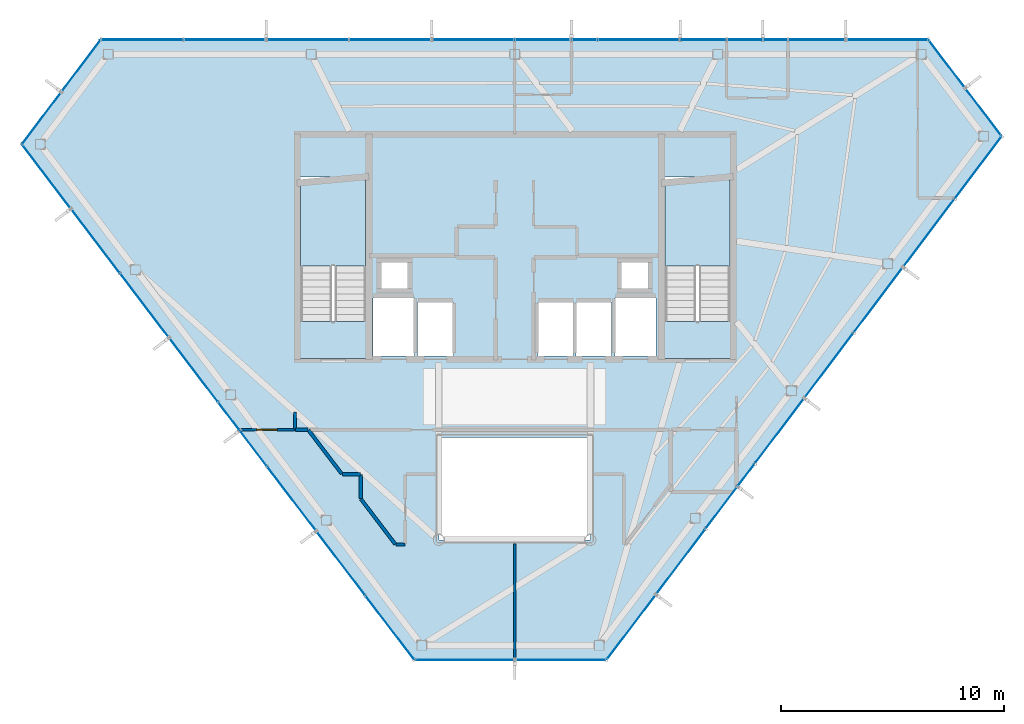
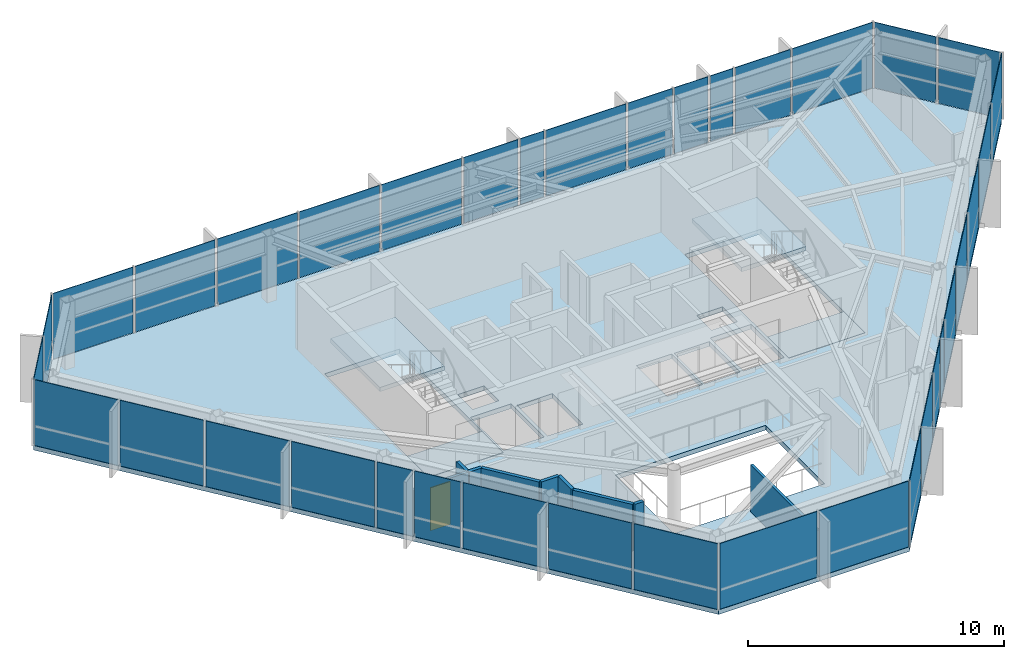
# One storey, part 20 of 23: 37 plates, 9 walls, 5 slabs, 1 door, 1 opening, 8 elements without a shape of their own.
"""IFC4 building model written with IfcOpenShell, lengths in metres."""

from ifc_helpers import new_model, si_unit, direction, frame, frame_2d, origin, origin_2d, place, context, subcontext, project, spatial, polyline, rectangle, outline, extrude, material, layer, layer_set, type_object, element, fill, aggregate, save


model = new_model("IFC4")

# Units and contexts
model_context = context("Model", 3, precision=1e-05, world=origin(), true_north=direction((0.0, 1.0)))
body_context = subcontext(model_context, "Body", "Model", "MODEL_VIEW")
ifc_project = project(units=[si_unit("LENGTHUNIT", "METRE"), si_unit("AREAUNIT", "SQUARE_METRE"), si_unit("VOLUMEUNIT", "CUBIC_METRE"), si_unit("PLANEANGLEUNIT", "RADIAN"), si_unit("MASSUNIT", "GRAM", prefix="KILO")], contexts=[model_context])

# Site, building, storey
site_placement = place(None, origin())
site = spatial("IfcSite", under=ifc_project, at=site_placement, CompositionType="ELEMENT")
building_placement = place(site_placement, origin())
building = spatial("IfcBuilding", under=site, at=building_placement, Name="Zarrinselat Tower", CompositionType="ELEMENT")
storey_placement = place(building_placement, frame((0.0, 0.0, 282.199951171875)))
storey = spatial("IfcBuildingStorey", under=building, at=storey_placement, Name="L72", CompositionType="ELEMENT", Elevation=282.199951171875)

# Curtain wall, plates
ifc_material_1 = material(Name="Extruded Aluminium Alloy EN AW-6063 T6", Category="aluminium")
ifc_layer_1 = layer(ifc_material_1, 0.169921875)
ifc_layer_set_1 = layer_set([ifc_layer_1], Name="Extruded Aluminium Alloy EN AW-6063 T6")
curtain_wall_type_1 = type_object("IfcCurtainWallType", Name="CWS-RES", PredefinedType="NOTDEFINED", material=ifc_layer_set_1)
curtain_wall_1_placement = place(storey_placement, origin())
curtain_wall_1 = element("IfcCurtainWall", 1, at=curtain_wall_1_placement, inside=storey, type_object=curtain_wall_type_1, Name="L72 Unitised Curtain Wall CW-L72-E01", PredefinedType="NOTDEFINED")
ifc_material_2 = material(Name="Double Low-E Laminated Solar Glass", Category="glass")
ifc_layer_2 = layer(ifc_material_2, 0.028076171875)
ifc_layer_set_2 = layer_set([ifc_layer_2], Name="Double Low-E Laminated Solar Glass")
plate_type = type_object("IfcPlateType", Name="PLT-CW-GL28", PredefinedType="CURTAIN_PANEL", material=ifc_layer_set_2)
plate_1_placement = place(storey_placement, frame((55.099853515625, 47.63330078125, 0.02001953125), z_axis=(0.0, 0.0, 1.0), x_axis=(-1.0, 0.0, 0.0)))
plate_1 = element("IfcPlate", 2, at=plate_1_placement, type_object=plate_type, Name="CW-L72-E01 Vision Glass Panel 1", PredefinedType="CURTAIN_PANEL", context=body_context, shape_type="SweptSolid", body=[
    extrude(rectangle(XDim=3.611083984375, YDim=0.028076171875, at=origin_2d()), origin(), (0.0, 0.0, 1.0), 3.139892578125),
])
plate_2_placement = place(storey_placement, frame((51.953369140625, 47.63330078125, 0.02001953125), z_axis=(0.0, 0.0, 1.0), x_axis=(-1.0, 0.0, 0.0)))
plate_2 = element("IfcPlate", 3, at=plate_2_placement, type_object=plate_type, Name="CW-L72-E01 Vision Glass Panel 2", PredefinedType="CURTAIN_PANEL", context=body_context, shape_type="SweptSolid", body=[
    extrude(rectangle(XDim=2.481689453125, YDim=0.028076171875, at=origin_2d()), origin(), (0.0, 0.0, 1.0), 3.139892578125),
])
plate_3_placement = place(storey_placement, frame((50.09765625, 47.63330078125, 0.02001953125), z_axis=(0.0, 0.0, 1.0), x_axis=(-1.0, 0.0, 0.0)))
plate_3 = element("IfcPlate", 4, at=plate_3_placement, type_object=plate_type, Name="CW-L72-E01 Vision Glass Panel 3", PredefinedType="CURTAIN_PANEL", context=body_context, shape_type="SweptSolid", body=[
    extrude(rectangle(XDim=1.029541015625, YDim=0.028076171875, at=origin_2d()), origin(), (0.0, 0.0, 1.0), 3.139892578125),
])
plate_4_placement = place(storey_placement, frame((48.72265625, 47.63330078125, 0.02001953125), z_axis=(0.0, 0.0, 1.0), x_axis=(-1.0, 0.0, 0.0)))
plate_4 = element("IfcPlate", 5, at=plate_4_placement, type_object=plate_type, Name="CW-L72-E01 Vision Glass Panel 4", PredefinedType="CURTAIN_PANEL", context=body_context, shape_type="SweptSolid", body=[
    extrude(rectangle(XDim=1.5205078125, YDim=0.028076171875, at=origin_2d()), origin(), (0.0, 0.0, 1.0), 3.139892578125),
])
plate_5_placement = place(storey_placement, frame((46.8671875, 47.63330078125, 0.02001953125), z_axis=(0.0, 0.0, 1.0), x_axis=(-1.0, 0.0, 0.0)))
plate_5 = element("IfcPlate", 6, at=plate_5_placement, type_object=plate_type, Name="CW-L72-E01 Vision Glass Panel 5", PredefinedType="CURTAIN_PANEL", context=body_context, shape_type="SweptSolid", body=[
    extrude(rectangle(XDim=1.99072265625, YDim=0.028076171875, at=origin_2d()), origin(), (0.0, 0.0, 1.0), 3.139892578125),
])
plate_6_placement = place(storey_placement, frame((43.966064453125, 47.63330078125, 0.02001953125), z_axis=(0.0, 0.0, 1.0), x_axis=(-1.0, 0.0, 0.0)))
plate_6 = element("IfcPlate", 7, at=plate_6_placement, type_object=plate_type, Name="CW-L72-E01 Vision Glass Panel 6", PredefinedType="CURTAIN_PANEL", context=body_context, shape_type="SweptSolid", body=[
    extrude(rectangle(XDim=3.611083984375, YDim=0.028076171875, at=origin_2d()), origin(), (0.0, 0.0, 1.0), 3.139892578125),
])
plate_7_placement = place(storey_placement, frame((41.5302734375, 47.63330078125, 0.02001953125), z_axis=(0.0, 0.0, 1.0), x_axis=(-1.0, 0.0, 0.0)))
plate_7 = element("IfcPlate", 8, at=plate_7_placement, type_object=plate_type, Name="CW-L72-E01 Vision Glass Panel 7", PredefinedType="CURTAIN_PANEL", context=body_context, shape_type="SweptSolid", body=[
    extrude(rectangle(XDim=1.060302734375, YDim=0.028076171875, at=origin_2d()), origin(), (0.0, 0.0, 1.0), 3.139892578125),
])
plate_8_placement = place(storey_placement, frame((39.675048828125, 47.63330078125, 0.02001953125), z_axis=(0.0, 0.0, 1.0), x_axis=(-1.0, 0.0, 0.0)))
plate_8 = element("IfcPlate", 9, at=plate_8_placement, type_object=plate_type, Name="CW-L72-E01 Vision Glass Panel 8", PredefinedType="CURTAIN_PANEL", context=body_context, shape_type="SweptSolid", body=[
    extrude(rectangle(XDim=2.449951171875, YDim=0.028076171875, at=origin_2d()), origin(), (0.0, 0.0, 1.0), 3.139892578125),
])
plate_9_placement = place(storey_placement, frame((36.5439453125, 47.63330078125, 0.02001953125), z_axis=(0.0, 0.0, 1.0), x_axis=(-1.0, 0.0, 0.0)))
plate_9 = element("IfcPlate", 10, at=plate_9_placement, type_object=plate_type, Name="CW-L72-E01 Vision Glass Panel 9", PredefinedType="CURTAIN_PANEL", context=body_context, shape_type="SweptSolid", body=[
    extrude(rectangle(XDim=3.612060546875, YDim=0.028076171875, at=origin_2d()), origin(), (0.0, 0.0, 1.0), 3.139892578125),
])
plate_10_placement = place(storey_placement, frame((32.832275390625, 47.63330078125, 0.02001953125), z_axis=(0.0, 0.0, 1.0), x_axis=(-1.0, 0.0, 0.0)))
plate_10 = element("IfcPlate", 11, at=plate_10_placement, type_object=plate_type, Name="CW-L72-E01 Vision Glass Panel 10", PredefinedType="CURTAIN_PANEL", context=body_context, shape_type="SweptSolid", body=[
    extrude(rectangle(XDim=3.611083984375, YDim=0.028076171875, at=origin_2d()), origin(), (0.0, 0.0, 1.0), 3.139892578125),
])
plate_11_placement = place(storey_placement, frame((29.12109375, 47.63330078125, 0.02001953125), z_axis=(0.0, 0.0, 1.0), x_axis=(-1.0, 0.0, 0.0)))
plate_11 = element("IfcPlate", 12, at=plate_11_placement, type_object=plate_type, Name="CW-L72-E01 Vision Glass Panel 11", PredefinedType="CURTAIN_PANEL", context=body_context, shape_type="SweptSolid", body=[
    extrude(rectangle(XDim=3.611083984375, YDim=0.028076171875, at=origin_2d()), origin(), (0.0, 0.0, 1.0), 3.139892578125),
])
plate_12_placement = place(storey_placement, frame((25.409912109375, 47.63330078125, 0.02001953125), z_axis=(0.0, 0.0, 1.0), x_axis=(-1.0, 0.0, 0.0)))
plate_12 = element("IfcPlate", 13, at=plate_12_placement, type_object=plate_type, Name="CW-L72-E01 Vision Glass Panel 12", PredefinedType="CURTAIN_PANEL", context=body_context, shape_type="SweptSolid", body=[
    extrude(rectangle(XDim=3.611083984375, YDim=0.028076171875, at=origin_2d()), origin(), (0.0, 0.0, 1.0), 3.139892578125),
])
plate_13_placement = place(storey_placement, frame((21.698486328125, 47.63330078125, 0.02001953125), z_axis=(0.0, 0.0, 1.0), x_axis=(-1.0, 0.0, 0.0)))
plate_13 = element("IfcPlate", 14, at=plate_13_placement, type_object=plate_type, Name="CW-L72-E01 Vision Glass Panel 13", PredefinedType="CURTAIN_PANEL", context=body_context, shape_type="SweptSolid", body=[
    extrude(rectangle(XDim=3.611083984375, YDim=0.028076171875, at=origin_2d()), origin(), (0.0, 0.0, 1.0), 3.139892578125),
])
aggregate(curtain_wall_1, [plate_1, plate_2, plate_3, plate_4, plate_5, plate_6, plate_7, plate_8, plate_9, plate_10, plate_11, plate_12, plate_13])

curtain_wall_2_placement = place(storey_placement, origin())
curtain_wall_2 = element("IfcCurtainWall", 15, at=curtain_wall_2_placement, inside=storey, type_object=curtain_wall_type_1, Name="L72 Unitised Curtain Wall CW-L72-E02", PredefinedType="NOTDEFINED")
plate_14_placement = place(storey_placement, frame((18.9580078125, 46.4609375, 0.02001953125), z_axis=(0.0, 0.0, 1.0), x_axis=(-0.602440051683, -0.798164133577, 0.0)))
plate_14 = element("IfcPlate", 16, at=plate_14_placement, type_object=plate_type, Name="CW-L72-E02 Vision Glass Panel 1", PredefinedType="CURTAIN_PANEL", context=body_context, shape_type="SweptSolid", body=[
    extrude(rectangle(XDim=2.837646484375, YDim=0.028076171875, at=origin_2d()), origin(), (0.0, 0.0, 1.0), 3.139892578125),
])
plate_15_placement = place(storey_placement, frame((17.1884765625, 44.1162109375, 0.02001953125), z_axis=(0.0, 0.0, 1.0), x_axis=(-0.602440051683, -0.798164133577, 0.0)))
plate_15 = element("IfcPlate", 17, at=plate_15_placement, type_object=plate_type, Name="CW-L72-E02 Vision Glass Panel 2", PredefinedType="CURTAIN_PANEL", context=body_context, shape_type="SweptSolid", body=[
    extrude(rectangle(XDim=2.837646484375, YDim=0.028076171875, at=origin_2d()), origin(), (0.0, 0.0, 1.0), 3.139892578125),
])
aggregate(curtain_wall_2, [plate_14, plate_15])

curtain_wall_3_placement = place(storey_placement, origin())
curtain_wall_3 = element("IfcCurtainWall", 18, at=curtain_wall_3_placement, inside=storey, type_object=curtain_wall_type_1, Name="L72 Unitised Curtain Wall CW-L72-E03", PredefinedType="NOTDEFINED")
plate_16_placement = place(storey_placement, frame((17.404052734375, 41.498779296875, 0.02001953125), z_axis=(0.0, 0.0, 1.0), x_axis=(0.60576733126, -0.795641841772, 0.0)))
plate_16 = element("IfcPlate", 19, at=plate_16_placement, type_object=plate_type, Name="CW-L72-E03 Vision Glass Panel 1", PredefinedType="CURTAIN_PANEL", context=body_context, shape_type="SweptSolid", body=[
    extrude(rectangle(XDim=3.533203125, YDim=0.028076171875, at=origin_2d()), origin(), (0.0, 0.0, 1.0), 3.139892578125),
])
plate_17_placement = place(storey_placement, frame((19.604736328125, 38.608154296875, 0.02001953125), z_axis=(0.0, 0.0, 1.0), x_axis=(0.60576733126, -0.795641841772, 0.0)))
plate_17 = element("IfcPlate", 20, at=plate_17_placement, type_object=plate_type, Name="CW-L72-E03 Vision Glass Panel 2", PredefinedType="CURTAIN_PANEL", context=body_context, shape_type="SweptSolid", body=[
    extrude(rectangle(XDim=3.533203125, YDim=0.028076171875, at=origin_2d()), origin(), (0.0, 0.0, 1.0), 3.139892578125),
])
plate_18_placement = place(storey_placement, frame((21.8056640625, 35.717529296875, 0.02001953125), z_axis=(0.0, 0.0, 1.0), x_axis=(0.60576733126, -0.795641841772, 0.0)))
plate_18 = element("IfcPlate", 21, at=plate_18_placement, type_object=plate_type, Name="CW-L72-E03 Vision Glass Panel 3", PredefinedType="CURTAIN_PANEL", context=body_context, shape_type="SweptSolid", body=[
    extrude(rectangle(XDim=3.533203125, YDim=0.028076171875, at=origin_2d()), origin(), (0.0, 0.0, 1.0), 3.139892578125),
])
plate_19_placement = place(storey_placement, frame((24.00634765625, 32.826904296875, 0.02001953125), z_axis=(0.0, 0.0, 1.0), x_axis=(0.60576733126, -0.795641841772, 0.0)))
plate_19 = element("IfcPlate", 22, at=plate_19_placement, type_object=plate_type, Name="CW-L72-E03 Vision Glass Panel 4", PredefinedType="CURTAIN_PANEL", context=body_context, shape_type="SweptSolid", body=[
    extrude(rectangle(XDim=3.533203125, YDim=0.028076171875, at=origin_2d()), origin(), (0.0, 0.0, 1.0), 3.139892578125),
])
plate_20_placement = place(storey_placement, frame((25.58935546875, 30.74755859375, 0.02001953125), z_axis=(0.0, 0.0, 1.0), x_axis=(0.60576733126, -0.795641841772, 0.0)))
plate_20 = element("IfcPlate", 23, at=plate_20_placement, type_object=plate_type, Name="CW-L72-E03 Vision Glass Panel 5", PredefinedType="CURTAIN_PANEL", context=body_context, shape_type="SweptSolid", body=[
    extrude(rectangle(XDim=1.493408203125, YDim=0.028076171875, at=origin_2d()), origin(), (0.0, 0.0, 1.0), 3.139892578125),
])
plate_21_placement = place(storey_placement, frame((26.689697265625, 29.30224609375, 0.02001953125), z_axis=(0.0, 0.0, 1.0), x_axis=(0.60576733126, -0.795641841772, 0.0)))
plate_21 = element("IfcPlate", 24, at=plate_21_placement, type_object=plate_type, Name="CW-L72-E03 Vision Glass Panel 6", PredefinedType="CURTAIN_PANEL", context=body_context, shape_type="SweptSolid", body=[
    extrude(rectangle(XDim=1.939453125, YDim=0.028076171875, at=origin_2d()), origin(), (0.0, 0.0, 1.0), 3.139892578125),
])
plate_22_placement = place(storey_placement, frame((28.407958984375, 27.045654296875, 0.02001953125), z_axis=(0.0, 0.0, 1.0), x_axis=(0.60576733126, -0.795641841772, 0.0)))
plate_22 = element("IfcPlate", 25, at=plate_22_placement, type_object=plate_type, Name="CW-L72-E03 Vision Glass Panel 7", PredefinedType="CURTAIN_PANEL", context=body_context, shape_type="SweptSolid", body=[
    extrude(rectangle(XDim=3.533203125, YDim=0.028076171875, at=origin_2d()), origin(), (0.0, 0.0, 1.0), 3.139892578125),
])
plate_23_placement = place(storey_placement, frame((30.608642578125, 24.155029296875, 0.02001953125), z_axis=(0.0, 0.0, 1.0), x_axis=(0.60576733126, -0.795641841772, 0.0)))
plate_23 = element("IfcPlate", 26, at=plate_23_placement, type_object=plate_type, Name="CW-L72-E03 Vision Glass Panel 8", PredefinedType="CURTAIN_PANEL", context=body_context, shape_type="SweptSolid", body=[
    extrude(rectangle(XDim=3.533203125, YDim=0.028076171875, at=origin_2d()), origin(), (0.0, 0.0, 1.0), 3.139892578125),
])
plate_24_placement = place(storey_placement, frame((32.8095703125, 21.264404296875, 0.02001953125), z_axis=(0.0, 0.0, 1.0), x_axis=(0.60576733126, -0.795641841772, 0.0)))
plate_24 = element("IfcPlate", 27, at=plate_24_placement, type_object=plate_type, Name="CW-L72-E03 Vision Glass Panel 9", PredefinedType="CURTAIN_PANEL", context=body_context, shape_type="SweptSolid", body=[
    extrude(rectangle(XDim=3.533203125, YDim=0.028076171875, at=origin_2d()), origin(), (0.0, 0.0, 1.0), 3.139892578125),
])
aggregate(curtain_wall_3, [plate_16, plate_17, plate_18, plate_19, plate_20, plate_21, plate_22, plate_23, plate_24])

curtain_wall_4_placement = place(storey_placement, origin())
curtain_wall_4 = element("IfcCurtainWall", 28, at=curtain_wall_4_placement, inside=storey, type_object=curtain_wall_type_1, Name="L72 Unitised Curtain Wall CW-L72-E04", PredefinedType="NOTDEFINED")
plate_25_placement = place(storey_placement, frame((36.15478515625, 19.819091796875, 0.02001953125), z_axis=(0.0, 0.0, 1.0), x_axis=(1.0, 0.0, 0.0)))
plate_25 = element("IfcPlate", 29, at=plate_25_placement, type_object=plate_type, Name="CW-L72-E04 Vision Glass Panel 1", PredefinedType="CURTAIN_PANEL", context=body_context, shape_type="SweptSolid", body=[
    extrude(rectangle(XDim=4.39013671875, YDim=0.028076171875, at=origin_2d()), origin(), (0.0, 0.0, 1.0), 3.139892578125),
])
plate_26_placement = place(storey_placement, frame((40.46142578125, 19.819091796875, 0.02001953125), z_axis=(0.0, 0.0, 1.0), x_axis=(1.0, 0.0, 0.0)))
plate_26 = element("IfcPlate", 30, at=plate_26_placement, type_object=plate_type, Name="CW-L72-E04 Vision Glass Panel 2", PredefinedType="CURTAIN_PANEL", context=body_context, shape_type="SweptSolid", body=[
    extrude(rectangle(XDim=4.022705078125, YDim=0.028076171875, at=origin_2d()), origin(), (0.0, 0.0, 1.0), 3.139892578125),
])
aggregate(curtain_wall_4, [plate_25, plate_26])

ifc_material_3 = material(Name="Extruded Aluminium Alloy EN AW-6063 T6", Category="aluminium")
ifc_layer_3 = layer(ifc_material_3, 0.199951171875)
ifc_layer_set_3 = layer_set([ifc_layer_3], Name="Extruded Aluminium Alloy EN AW-6063 T6")
curtain_wall_type_2 = type_object("IfcCurtainWallType", Name="CWS-BLADE", PredefinedType="NOTDEFINED", material=ifc_layer_set_3)
curtain_wall_5_placement = place(storey_placement, origin())
curtain_wall_5 = element("IfcCurtainWall", 31, at=curtain_wall_5_placement, inside=storey, type_object=curtain_wall_type_2, Name="L72 Unitised Curtain Wall CW-L72-E05", PredefinedType="NOTDEFINED")
plate_27_placement = place(storey_placement, frame((43.630859375, 21.287109375, 0.02001953125), z_axis=(0.0, 0.0, 1.0), x_axis=(0.602445101176, 0.798160322284, 0.0)))
plate_27 = element("IfcPlate", 32, at=plate_27_placement, type_object=plate_type, Name="CW-L72-E05 Vision Glass Panel 1", PredefinedType="CURTAIN_PANEL", context=body_context, shape_type="SweptSolid", body=[
    extrude(rectangle(XDim=3.578125, YDim=0.028076171875, at=origin_2d()), origin(), (0.0, 0.0, 1.0), 3.139892578125),
])
plate_28_placement = place(storey_placement, frame((45.8466796875, 24.222900390625, 0.02001953125), z_axis=(0.0, 0.0, 1.0), x_axis=(0.602445101176, 0.798160322284, 0.0)))
plate_28 = element("IfcPlate", 33, at=plate_28_placement, type_object=plate_type, Name="CW-L72-E05 Vision Glass Panel 2", PredefinedType="CURTAIN_PANEL", context=body_context, shape_type="SweptSolid", body=[
    extrude(rectangle(XDim=3.578125, YDim=0.028076171875, at=origin_2d()), origin(), (0.0, 0.0, 1.0), 3.139892578125),
])
plate_29_placement = place(storey_placement, frame((47.67626953125, 26.646728515625, 0.02001953125), z_axis=(0.0, 0.0, 1.0), x_axis=(0.602445101176, 0.798160322284, 0.0)))
plate_29 = element("IfcPlate", 34, at=plate_29_placement, type_object=plate_type, Name="CW-L72-E05 Vision Glass Panel 3", PredefinedType="CURTAIN_PANEL", context=body_context, shape_type="SweptSolid", body=[
    extrude(rectangle(XDim=2.295654296875, YDim=0.028076171875, at=origin_2d()), origin(), (0.0, 0.0, 1.0), 3.139892578125),
])
plate_30_placement = place(storey_placement, frame((48.7841796875, 28.11474609375, 0.02001953125), z_axis=(0.0, 0.0, 1.0), x_axis=(0.602445101176, 0.798160322284, 0.0)))
plate_30 = element("IfcPlate", 35, at=plate_30_placement, type_object=plate_type, Name="CW-L72-E05 Vision Glass Panel 4", PredefinedType="CURTAIN_PANEL", context=body_context, shape_type="SweptSolid", body=[
    extrude(rectangle(XDim=1.1826171875, YDim=0.028076171875, at=origin_2d()), origin(), (0.0, 0.0, 1.0), 3.139892578125),
])
plate_31_placement = place(storey_placement, frame((50.278564453125, 30.094482421875, 0.02001953125), z_axis=(0.0, 0.0, 1.0), x_axis=(0.602445101176, 0.798160322284, 0.0)))
plate_31 = element("IfcPlate", 36, at=plate_31_placement, type_object=plate_type, Name="CW-L72-E05 Vision Glass Panel 5", PredefinedType="CURTAIN_PANEL", context=body_context, shape_type="SweptSolid", body=[
    extrude(rectangle(XDim=3.578125, YDim=0.028076171875, at=origin_2d()), origin(), (0.0, 0.0, 1.0), 3.139892578125),
])
plate_32_placement = place(storey_placement, frame((52.494384765625, 33.0302734375, 0.02001953125), z_axis=(0.0, 0.0, 1.0), x_axis=(0.602445101176, 0.798160322284, 0.0)))
plate_32 = element("IfcPlate", 37, at=plate_32_placement, type_object=plate_type, Name="CW-L72-E05 Vision Glass Panel 6", PredefinedType="CURTAIN_PANEL", context=body_context, shape_type="SweptSolid", body=[
    extrude(rectangle(XDim=3.578125, YDim=0.028076171875, at=origin_2d()), origin(), (0.0, 0.0, 1.0), 3.139892578125),
])
plate_33_placement = place(storey_placement, frame((54.71044921875, 35.966064453125, 0.02001953125), z_axis=(0.0, 0.0, 1.0), x_axis=(0.602445101176, 0.798160322284, 0.0)))
plate_33 = element("IfcPlate", 38, at=plate_33_placement, type_object=plate_type, Name="CW-L72-E05 Vision Glass Panel 7", PredefinedType="CURTAIN_PANEL", context=body_context, shape_type="SweptSolid", body=[
    extrude(rectangle(XDim=3.578125, YDim=0.028076171875, at=origin_2d()), origin(), (0.0, 0.0, 1.0), 3.139892578125),
])
plate_34_placement = place(storey_placement, frame((56.97509765625, 38.966552734375, 0.02001953125), z_axis=(0.0, 0.0, 1.0), x_axis=(0.602445101176, 0.798160322284, 0.0)))
plate_34 = element("IfcPlate", 39, at=plate_34_placement, type_object=plate_type, Name="CW-L72-E05 Vision Glass Panel 8", PredefinedType="CURTAIN_PANEL", context=body_context, shape_type="SweptSolid", body=[
    extrude(rectangle(XDim=3.739990234375, YDim=0.028076171875, at=origin_2d()), origin(), (0.0, 0.0, 1.0), 3.139892578125),
])
plate_35_placement = place(storey_placement, frame((59.19091796875, 41.90234375, 0.02001953125), z_axis=(0.0, 0.0, 1.0), x_axis=(0.602445101176, 0.798160322284, 0.0)))
plate_35 = element("IfcPlate", 40, at=plate_35_placement, type_object=plate_type, Name="CW-L72-E05 Vision Glass Panel 9", PredefinedType="CURTAIN_PANEL", context=body_context, shape_type="SweptSolid", body=[
    extrude(rectangle(XDim=3.41650390625, YDim=0.028076171875, at=origin_2d()), origin(), (0.0, 0.0, 1.0), 3.139892578125),
])
aggregate(curtain_wall_5, [plate_27, plate_28, plate_29, plate_30, plate_31, plate_32, plate_33, plate_34, plate_35])

curtain_wall_6_placement = place(storey_placement, origin())
curtain_wall_6 = element("IfcCurtainWall", 41, at=curtain_wall_6_placement, inside=storey, type_object=curtain_wall_type_1, Name="L72 Unitised Curtain Wall CW-L72-E06", PredefinedType="NOTDEFINED")
plate_36_placement = place(storey_placement, frame((59.426513671875, 44.3876953125, 0.02001953125), z_axis=(0.0, 0.0, 1.0), x_axis=(-0.605773416753, 0.795637208503, 0.0)))
plate_36 = element("IfcPlate", 42, at=plate_36_placement, type_object=plate_type, Name="CW-L72-E06 Vision Glass Panel 1", PredefinedType="CURTAIN_PANEL", context=body_context, shape_type="SweptSolid", body=[
    extrude(rectangle(XDim=2.61962890625, YDim=0.028076171875, at=origin_2d()), origin(), (0.0, 0.0, 1.0), 3.139892578125),
])
plate_37_placement = place(storey_placement, frame((57.779052734375, 46.551513671875, 0.02001953125), z_axis=(0.0, 0.0, 1.0), x_axis=(-0.605773416753, 0.795637208503, 0.0)))
plate_37 = element("IfcPlate", 43, at=plate_37_placement, type_object=plate_type, Name="CW-L72-E06 Vision Glass Panel 2", PredefinedType="CURTAIN_PANEL", context=body_context, shape_type="SweptSolid", body=[
    extrude(rectangle(XDim=2.61962890625, YDim=0.028076171875, at=origin_2d()), origin(), (0.0, 0.0, 1.0), 3.139892578125),
])
aggregate(curtain_wall_6, [plate_36, plate_37])

# Slabs
ifc_material_4 = material(Name="Concrete C40/50", Category="concrete")
ifc_layer_4 = layer(ifc_material_4, 0.219970703125)
ifc_layer_set_4 = layer_set([ifc_layer_4], Name="Concrete C40/50")
slab_type_1 = type_object("IfcSlabType", Name="SLB-FLOOR-220-SL-RS220", PredefinedType="FLOOR", material=ifc_layer_set_4)
slab_1_placement = place(storey_placement, frame((0.0, 0.0, -0.219970703125)))
element("IfcSlab", 44, at=slab_1_placement, inside=storey, type_object=slab_type_1, Name="L72 Primary Structural Slab", PredefinedType="FLOOR", context=body_context, shape_type="SweptSolid", body=[
    extrude(outline(polyline([(56.955322265625, 47.63330078125), (19.843017578125, 47.63330078125), (16.3037109375, 42.944091796875), (33.909912109375, 19.819091796875), (42.522705078125, 19.819091796875), (60.250244140625, 43.3056640625), (56.955322265625, 47.63330078125)]), holes=[polyline([(41.800048828125, 25.199951171875), (35.0, 25.199951171875), (35.0, 29.800048828125), (41.800048828125, 29.800048828125), (41.800048828125, 25.199951171875)]), polyline([(35.64990234375, 33.449951171875), (34.050048828125, 33.449951171875), (34.050048828125, 35.85009765625), (35.64990234375, 35.85009765625), (35.64990234375, 33.449951171875)]), polyline([(41.050048828125, 33.449951171875), (39.449951171875, 33.449951171875), (39.449951171875, 35.85009765625), (41.050048828125, 35.85009765625), (41.050048828125, 33.449951171875)]), polyline([(41.14990234375, 33.449951171875), (41.14990234375, 35.85009765625), (42.75, 35.85009765625), (42.75, 33.449951171875), (41.14990234375, 33.449951171875)]), polyline([(32.06005859375, 33.449951171875), (32.06005859375, 36.050048828125), (33.89990234375, 36.050048828125), (33.89990234375, 33.449951171875), (32.06005859375, 33.449951171875)]), polyline([(44.739990234375, 33.449951171875), (42.89990234375, 33.449951171875), (42.89990234375, 36.050048828125), (44.739990234375, 36.050048828125), (44.739990234375, 33.449951171875)]), polyline([(33.60009765625, 36.47998046875), (32.419921875, 36.47998046875), (32.419921875, 37.639892578125), (33.60009765625, 37.639892578125), (33.60009765625, 36.47998046875)]), polyline([(44.3798828125, 36.47998046875), (43.199951171875, 36.47998046875), (43.199951171875, 37.639892578125), (44.3798828125, 37.639892578125), (44.3798828125, 36.47998046875)]), polyline([(31.985107421875, 33.324951171875), (28.60498046875, 33.324951171875), (28.60498046875, 41.47509765625), (31.985107421875, 41.47509765625), (31.985107421875, 33.324951171875)]), polyline([(48.324951171875, 33.324951171875), (44.875, 33.324951171875), (44.875, 41.47509765625), (48.324951171875, 41.47509765625), (48.324951171875, 33.324951171875)])]), origin(), (0.0, 0.0, 1.0), 0.219970703125),
])
slab_2_placement = place(storey_placement, frame((0.0, 0.0, -0.219970703125)))
element("IfcSlab", 45, at=slab_2_placement, inside=storey, type_object=slab_type_1, Name="L72 Stair ST-1-FL1 Structural Floor Landing", PredefinedType="FLOOR", context=body_context, shape_type="SweptSolid", body=[
    extrude(outline(polyline([(31.97998046875, 33.330078125), (31.97998046875, 35.0), (28.610107421875, 35.0), (28.610107421875, 33.330078125), (31.97998046875, 33.330078125)])), origin(), (0.0, 0.0, 1.0), 0.219970703125),
])
slab_3_placement = place(storey_placement, frame((0.0, 0.0, -0.219970703125)))
element("IfcSlab", 46, at=slab_3_placement, inside=storey, type_object=slab_type_1, Name="L72 Stair ST-2-FL1 Structural Floor Landing", PredefinedType="FLOOR", context=body_context, shape_type="SweptSolid", body=[
    extrude(outline(polyline([(48.320068359375, 33.330078125), (48.320068359375, 35.0), (44.8798828125, 35.0), (44.8798828125, 33.330078125), (48.320068359375, 33.330078125)])), origin(), (0.0, 0.0, 1.0), 0.219970703125),
])

# Stair, slab
ifc_material_5 = material(Name="Concrete C40/50", Category="concrete")
stair_type = type_object("IfcStairType", Name="STR-CORE-155", PredefinedType="HALF_TURN_STAIR", material=ifc_material_5)
stair_1_placement = place(storey_placement, origin())
stair_1 = element("IfcStair", 47, at=stair_1_placement, inside=storey, type_object=stair_type, Name="L72 Core Exit Stair 1", PredefinedType="HALF_TURN_STAIR")
ifc_material_6 = material(Name="Concrete C40/50", Category="concrete")
ifc_layer_5 = layer(ifc_material_6, 0.18994140625)
ifc_layer_set_5 = layer_set([ifc_layer_5], Name="Concrete C40/50")
slab_type_2 = type_object("IfcSlabType", Name="SLB-LND-190", PredefinedType="LANDING", material=ifc_layer_set_5)
slab_4_placement = place(storey_placement, frame((0.0, 0.0, 1.5)))
slab_4 = element("IfcSlab", 48, at=slab_4_placement, type_object=slab_type_2, Name="ST-1 landing 1", PredefinedType="LANDING", context=body_context, shape_type="SweptSolid", body=[
    extrude(outline(polyline([(31.719970703125, 37.47998046875), (31.719970703125, 41.35009765625), (28.800048828125, 41.35009765625), (28.800048828125, 37.47998046875), (31.719970703125, 37.47998046875)])), origin(), (0.0, 0.0, 1.0), 0.199951171875),
])
aggregate(stair_1, [slab_4])

stair_2_placement = place(storey_placement, origin())
stair_2 = element("IfcStair", 49, at=stair_2_placement, inside=storey, type_object=stair_type, Name="L72 Core Exit Stair 2", PredefinedType="HALF_TURN_STAIR")
slab_5_placement = place(storey_placement, frame((0.0, 0.0, 1.5)))
slab_5 = element("IfcSlab", 50, at=slab_5_placement, type_object=slab_type_2, Name="ST-2 landing 1", PredefinedType="LANDING", context=body_context, shape_type="SweptSolid", body=[
    extrude(outline(polyline([(48.06005859375, 37.47998046875), (48.06005859375, 41.35009765625), (45.139892578125, 41.35009765625), (45.139892578125, 37.47998046875), (48.06005859375, 37.47998046875)])), origin(), (0.0, 0.0, 1.0), 0.199951171875),
])
aggregate(stair_2, [slab_5])

# Walls
ifc_material_7 = material(Name="Fire-Rated Gypsum Board Partition", Category="gypsum")
ifc_layer_6 = layer(ifc_material_7, 0.14990234375)
ifc_layer_set_6 = layer_set([ifc_layer_6], Name="Fire-Rated Gypsum Board Partition")
wall_type_1 = type_object("IfcWallType", Name="WAL-PART-EI60", PredefinedType="PARTITIONING", material=ifc_layer_set_6)
wall_1_placement = place(storey_placement, frame((28.570068359375, 30.14990234375, 0.0), z_axis=(0.0, 0.0, 1.0), x_axis=(1.0, 0.0, 0.0)))
element("IfcWall", 51, at=wall_1_placement, inside=storey, type_object=wall_type_1, Name="L72 Partition Wall 15", PredefinedType="PARTITIONING", context=body_context, shape_type="SweptSolid", body=[
    extrude(rectangle(XDim=0.56494140625, YDim=0.14990234375, at=frame_2d((0.282470703125, 0.0))), origin(), (0.0, 0.0, 1.0), 2.235107421875),
])
wall_2_placement = place(storey_placement, frame((28.550048828125, 30.169921875, 0.0), z_axis=(0.0, 0.0, 1.0), x_axis=(0.0, 1.0, 0.0)))
element("IfcWall", 52, at=wall_2_placement, inside=storey, type_object=wall_type_1, Name="L72 Partition Wall 17", PredefinedType="PARTITIONING", context=body_context, shape_type="SweptSolid", body=[
    extrude(rectangle(XDim=0.77490234375, YDim=0.14990234375, at=frame_2d((0.387451171875, 0.0))), origin(), (0.0, 0.0, 1.0), 2.235107421875),
])
wall_3_placement = place(storey_placement, frame((33.0771484375, 25.0, 0.0), z_axis=(0.0, 0.0, 1.0), x_axis=(1.0, 0.0, 0.0)))
element("IfcWall", 53, at=wall_3_placement, inside=storey, type_object=wall_type_1, Name="L72 Partition Wall 26", PredefinedType="PARTITIONING", context=body_context, shape_type="SweptSolid", body=[
    extrude(rectangle(XDim=0.40283203125, YDim=0.14990234375, at=frame_2d((0.201416015625, 0.0))), origin(), (0.0, 0.0, 1.0), 2.235107421875),
])
wall_4_placement = place(storey_placement, frame((31.51220703125, 27.029296875, 0.0), z_axis=(0.0, 0.0, 1.0), x_axis=(0.60577285366, -0.795637637225, 0.0)))
element("IfcWall", 54, at=wall_4_placement, inside=storey, type_object=wall_type_1, Name="L72 Partition Wall 27", PredefinedType="PARTITIONING", context=body_context, shape_type="SweptSolid", body=[
    extrude(rectangle(XDim=2.530517578125, YDim=0.14990234375, at=frame_2d((1.26513671875, 0.0))), origin(), (0.0, 0.0, 1.0), 2.235107421875),
])
wall_5_placement = place(storey_placement, frame((31.5, 27.065185546875, 0.0), z_axis=(0.0, 0.0, 1.0), x_axis=(0.0, 1.0, 0.0)))
element("IfcWall", 55, at=wall_5_placement, inside=storey, type_object=wall_type_1, Name="L72 Partition Wall 28", PredefinedType="PARTITIONING", context=body_context, shape_type="SweptSolid", body=[
    extrude(rectangle(XDim=1.064697265625, YDim=0.14990234375, at=frame_2d((0.5322265625, 0.0))), origin(), (0.0, 0.0, 1.0), 2.235107421875),
])
wall_6_placement = place(storey_placement, frame((30.678955078125, 28.14990234375, 0.0), z_axis=(0.0, 0.0, 1.0), x_axis=(1.0, 0.0, 0.0)))
element("IfcWall", 56, at=wall_6_placement, inside=storey, type_object=wall_type_1, Name="L72 Partition Wall 29", PredefinedType="PARTITIONING", context=body_context, shape_type="SweptSolid", body=[
    extrude(rectangle(XDim=0.801025390625, YDim=0.14990234375, at=frame_2d((0.400390625, 0.0))), origin(), (0.0, 0.0, 1.0), 2.235107421875),
])
wall_7_placement = place(storey_placement, frame((29.148193359375, 30.134033203125, 0.0), z_axis=(0.0, 0.0, 1.0), x_axis=(0.605873710815, -0.795560837739, 0.0)))
element("IfcWall", 57, at=wall_7_placement, inside=storey, type_object=wall_type_1, Name="L72 Partition Wall 30", PredefinedType="PARTITIONING", context=body_context, shape_type="SweptSolid", body=[
    extrude(rectangle(XDim=2.4736328125, YDim=0.14990234375, at=frame_2d((1.23681640625, 0.0))), origin(), (0.0, 0.0, 1.0), 2.235107421875),
])
ifc_material_8 = material(Name="Fire-Rated Gypsum Board Partition", Category="gypsum")
ifc_layer_7 = layer(ifc_material_8, 0.1201171875)
ifc_layer_set_7 = layer_set([ifc_layer_7], Name="Fire-Rated Gypsum Board Partition")
wall_type_2 = type_object("IfcWallType", Name="WAL-PART-STD", PredefinedType="PARTITIONING", material=ifc_layer_set_7)
wall_8_placement = place(storey_placement, frame((38.39990234375, 19.833984375, 0.0), z_axis=(0.0, 0.0, 1.0), x_axis=(0.0, 1.0, 0.0)))
element("IfcWall", 58, at=wall_8_placement, inside=storey, type_object=wall_type_2, Name="L72 Partition Wall 31", PredefinedType="PARTITIONING", context=body_context, shape_type="SweptSolid", body=[
    extrude(rectangle(XDim=5.18603515625, YDim=0.1201171875, at=frame_2d((2.593017578125, 0.0))), origin(), (0.0, 0.0, 1.0), 2.235107421875),
])

# Wall, opening, door
wall_9_placement = place(storey_placement, frame((26.059326171875, 30.14990234375, 0.0), z_axis=(0.0, 0.0, 1.0), x_axis=(1.0, 0.0, 0.0)))
wall_9 = element("IfcWall", 59, at=wall_9_placement, inside=storey, type_object=wall_type_2, Name="L72 Partition Wall 32", PredefinedType="PARTITIONING", context=body_context, shape_type="SweptSolid", body=[
    extrude(rectangle(XDim=2.470703125, YDim=0.1201171875, at=frame_2d((1.2353515625, 0.0))), origin(), (0.0, 0.0, 1.0), 2.235107421875),
])
opening_placement = place(wall_9_placement, frame((0.785400390625, 0.0, 0.0)))
opening = element("IfcOpeningElement", 60, at=opening_placement, cuts=wall_9, Name="Opening ID-05", PredefinedType="OPENING", context=body_context, shape_type="SweptSolid", body=[
    extrude(rectangle(XDim=0.89990234375, YDim=2.050048828125, at=frame_2d((0.449951171875, 1.02490234375))), frame((0.0, 0.070068359375, 0.0), z_axis=(0.0, -1.0, 0.0), x_axis=(1.0, 0.0, 0.0)), (0.0, 0.0, 1.0), 0.14013671875),
])
ifc_material_9 = material(Name="Extruded Aluminium Alloy EN AW-6063 T6", Category="aluminium")
door_type = type_object("IfcDoorType", Name="DR-INT-STD-920", OperationType="NOTDEFINED", PredefinedType="DOOR", material=ifc_material_9)
door_placement = place(opening_placement, origin())
door = element("IfcDoor", 61, at=door_placement, inside=storey, type_object=door_type, Name="L72 Interior Door P32", OperationType="SINGLE_SWING_LEFT", OverallHeight=2.050048828125, OverallWidth=0.89990234375, PredefinedType="DOOR", context=body_context, shape_type="SweptSolid", body=[
    extrude(rectangle(XDim=0.89990234375, YDim=2.050048828125, at=frame_2d((0.449951171875, 1.02490234375))), frame((0.0, 0.02490234375, 0.0), z_axis=(0.0, -1.0, 0.0), x_axis=(1.0, 0.0, 0.0)), (0.0, 0.0, 1.0), 0.050048828125),
])
fill(opening, door)

save(model, "model.ifc")
